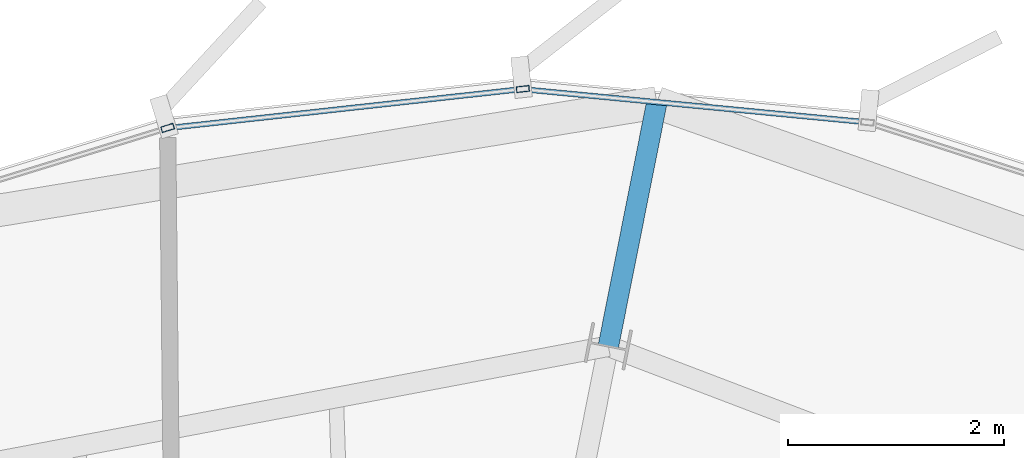
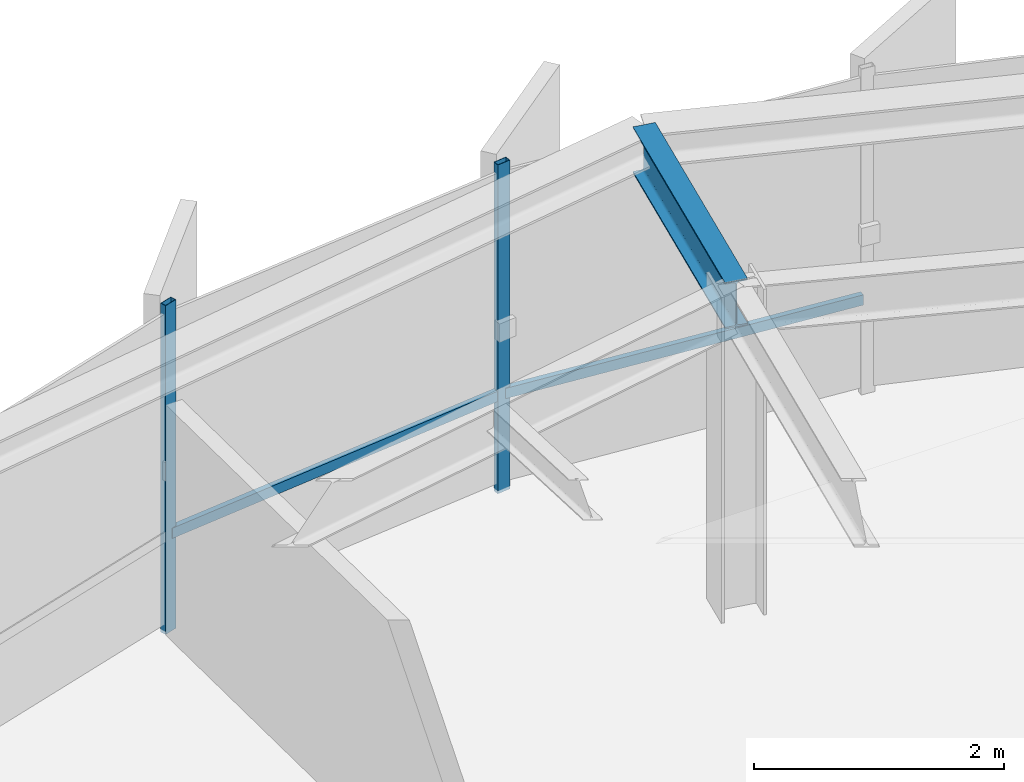
# One storey, part 20 of 30: 4 members, 1 beam, 1 element without a shape of its own.
"""IFC4 building model written with IfcOpenShell, lengths in metres."""

from ifc_helpers import new_model, si_unit, direction, frame, origin, origin_2d, place, context, subcontext, project, spatial, hollow_rectangle, i_section, extrude, source, transform, mapped, material, layer, layer_set, material_profile, profile_set, type_object, element, aggregate, save


model = new_model("IFC4")

# Units and contexts
model_context = context("Model", 3, precision=1e-05, world=origin(), true_north=direction((0.0, 1.0)))
body_context = subcontext(model_context, "Body", "Model", "MODEL_VIEW")
ifc_project = project(units=[si_unit("LENGTHUNIT", "METRE"), si_unit("AREAUNIT", "SQUARE_METRE"), si_unit("VOLUMEUNIT", "CUBIC_METRE"), si_unit("PLANEANGLEUNIT", "RADIAN"), si_unit("MASSUNIT", "GRAM", prefix="KILO"), si_unit("THERMODYNAMICTEMPERATUREUNIT", "KELVIN")], contexts=[model_context])

# Site, building, storey
site_placement = place(None, origin())
site = spatial("IfcSite", under=ifc_project, at=site_placement, CompositionType="ELEMENT")
building_placement = place(site_placement, origin())
building = spatial("IfcBuilding", under=site, at=building_placement, Name="Kethvar Cultural Tower", CompositionType="ELEMENT")
storey_placement = place(building_placement, frame((0.0, 0.0, 297.39990234375)))
storey = spatial("IfcBuildingStorey", under=building, at=storey_placement, Name="L79", CompositionType="ELEMENT", Elevation=297.39990234375)

# Beam
ifc_material_1 = material(Name="Steel S355J2", Category="steel")
ifc_material_profile_1 = material_profile(ifc_material_1, i_section(OverallWidth=0.18994140625, OverallDepth=0.449951171875, WebThickness=0.009521484375, FlangeThickness=0.0146484375, FilletRadius=0.02099609375, at=origin_2d()), Name="Steel S355J2 — IPE450")
ifc_profile_set_1 = profile_set([ifc_material_profile_1], Name="Steel S355J2 — IPE450")
beam_type = type_object("IfcBeamType", Name="BM-IPE450", PredefinedType="BEAM", material=ifc_profile_set_1)
shared_shape_1 = source(origin(), body_context, "Body", "SweptSolid", [
    extrude(i_section(OverallWidth=0.18994140625, OverallDepth=0.449951171875, WebThickness=0.009521484375, FlangeThickness=0.0146484375, FilletRadius=0.02099609375, at=origin_2d()), origin(), (0.0, 0.0, 1.0), 2.298828125),
])
beam_placement = place(storey_placement, frame((50.645263671875, 47.131591796875, 2.983154296875), z_axis=(0.195094846437, 0.980784380429, 0.0), x_axis=(-0.980784380429, 0.195094846437, 0.0)))
element("IfcBeam", 1, at=beam_placement, inside=storey, type_object=beam_type, Name="L79 Perimeter Cantilever Beam RC-04", PredefinedType="BEAM", context=body_context, shape_type="MappedRepresentation", body=[
    mapped(shared_shape_1, transform((0.0, 0.0, 0.0), scale=1.0)),
])

# Curtain wall, members
ifc_material_2 = material(Name="Aluminium 6063-T6", Category="aluminium")
ifc_layer = layer(ifc_material_2, 0.179931640625, Name="Aluminium 6063-T6", Category="aluminium")
ifc_layer_set = layer_set([ifc_layer], Name="Aluminium 6063-T6 (180 mm)")
curtain_wall_type = type_object("IfcCurtainWallType", Name="CW-SYS-05-Z56", PredefinedType="NOTDEFINED", material=ifc_layer_set)
curtain_wall_placement = place(storey_placement, origin())
curtain_wall = element("IfcCurtainWall", 2, at=curtain_wall_placement, inside=storey, type_object=curtain_wall_type, Name="L79 Curtain Wall Run 01", PredefinedType="NOTDEFINED")
ifc_material_profile_2 = material_profile(ifc_material_2, hollow_rectangle(XDim=0.054931640625, YDim=0.1201171875, WallThickness=0.00390625, at=origin_2d()), Name="Aluminium 6063-T6 — RHS120x55x4")
ifc_profile_set_2 = profile_set([ifc_material_profile_2], Name="Aluminium 6063-T6 — RHS120x55x4")
member_type_1 = type_object("IfcMemberType", Name="CW-SYS-05-Z56-MUL", PredefinedType="MULLION", material=ifc_profile_set_2)
shared_shape_2 = source(origin(), body_context, "Body", "SweptSolid", [
    extrude(hollow_rectangle(XDim=0.054931640625, YDim=0.1201171875, WallThickness=0.00390625, at=origin_2d()), origin(), (0.0, 0.0, 1.0), 3.210205078125),
])
member_1_placement = place(storey_placement, frame((49.853515625, 49.51318359375, 0.0), z_axis=(0.0, 0.0, 1.0), x_axis=(0.109369998011, -0.994001108417, 0.0)))
member_1 = element("IfcMember", 3, at=member_1_placement, type_object=member_type_1, Name="CW-L79-R01 Mullion 3", PredefinedType="MULLION", context=body_context, shape_type="MappedRepresentation", body=[
    mapped(shared_shape_2, transform((0.0, 0.0, 0.0), scale=1.0)),
])
member_2_placement = place(storey_placement, frame((46.564208984375, 49.153076171875, 0.0), z_axis=(0.0, 0.0, 1.0), x_axis=(0.294574094867, -0.95562864264, 0.0)))
member_2 = element("IfcMember", 4, at=member_2_placement, type_object=member_type_1, Name="CW-L79-R01 Mullion 4", PredefinedType="MULLION", context=body_context, shape_type="MappedRepresentation", body=[
    mapped(shared_shape_2, transform((0.0, 0.0, 0.0), scale=1.0)),
])
ifc_material_profile_3 = material_profile(ifc_material_2, hollow_rectangle(XDim=0.050048828125, YDim=0.10009765625, WallThickness=0.00390625, at=origin_2d()), Name="Aluminium 6063-T6 — RHS100x50x4")
ifc_profile_set_3 = profile_set([ifc_material_profile_3], Name="Aluminium 6063-T6 — RHS100x50x4")
member_type_2 = type_object("IfcMemberType", Name="CW-SYS-05-Z56-TRN", PredefinedType="USERDEFINED", material=ifc_profile_set_3)
shared_shape_3 = source(origin(), body_context, "Body", "SweptSolid", [
    extrude(hollow_rectangle(XDim=0.050048828125, YDim=0.10009765625, WallThickness=0.00390625, at=origin_2d()), origin(), (0.0, 0.0, 1.0), 3.14697265625),
])
member_3_placement = place(storey_placement, frame((53.005126953125, 49.208740234375, 0.9501953125), z_axis=(-0.995421954657, 0.095577885444, 0.0), x_axis=(-0.095577885444, -0.995421954657, 0.0)))
member_3 = element("IfcMember", 5, at=member_3_placement, type_object=member_type_2, Name="CW-L79-R01 Transom 2", ObjectType="TRANSOM", PredefinedType="USERDEFINED", context=body_context, shape_type="MappedRepresentation", body=[
    mapped(shared_shape_3, transform((0.0, 0.0, 0.0), scale=1.0)),
])
shared_shape_4 = source(origin(), body_context, "Body", "SweptSolid", [
    extrude(hollow_rectangle(XDim=0.050048828125, YDim=0.10009765625, WallThickness=0.00390625, at=origin_2d()), origin(), (0.0, 0.0, 1.0), 3.248779296875),
])
member_4_placement = place(storey_placement, frame((49.814208984375, 49.509033203125, 0.9501953125), z_axis=(-0.993995940403, -0.109416956923, 0.0), x_axis=(0.109416956923, -0.993995940403, 0.0)))
member_4 = element("IfcMember", 6, at=member_4_placement, type_object=member_type_2, Name="CW-L79-R01 Transom 3", ObjectType="TRANSOM", PredefinedType="USERDEFINED", context=body_context, shape_type="MappedRepresentation", body=[
    mapped(shared_shape_4, transform((0.0, 0.0, 0.0), scale=1.0)),
])
aggregate(curtain_wall, [member_1, member_2, member_3, member_4])

save(model, "model.ifc")
